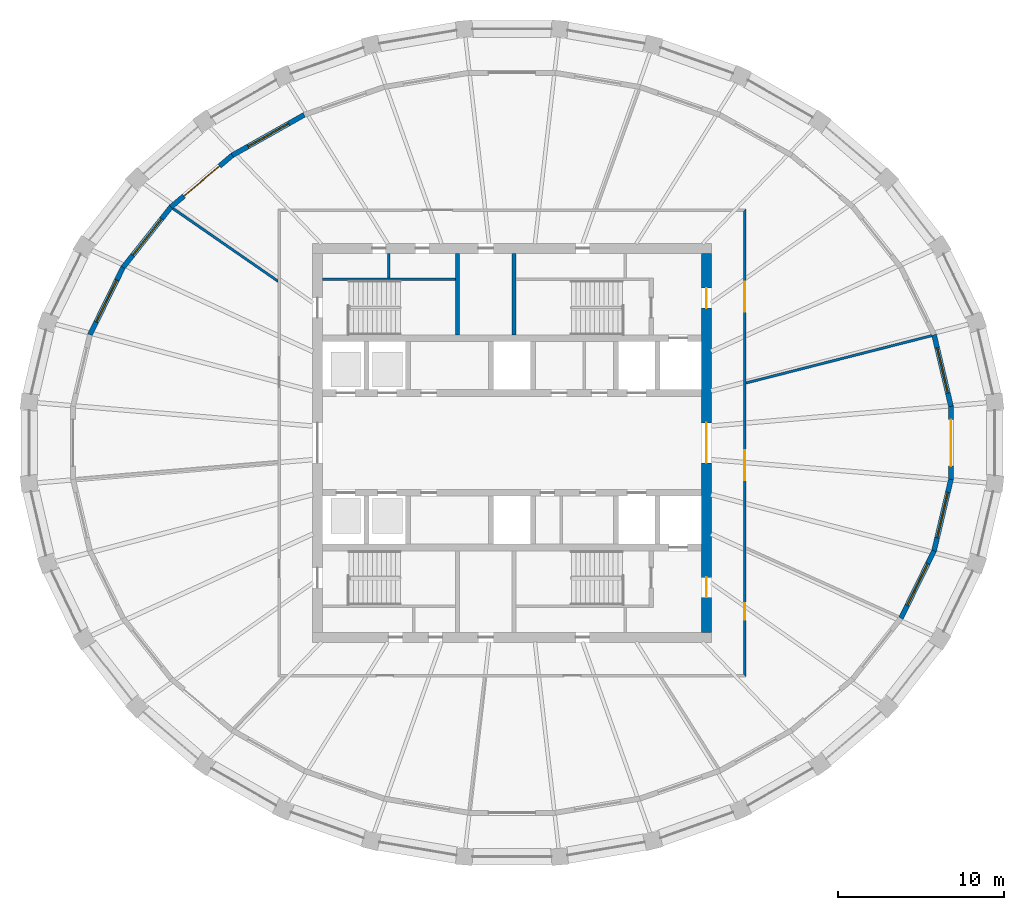
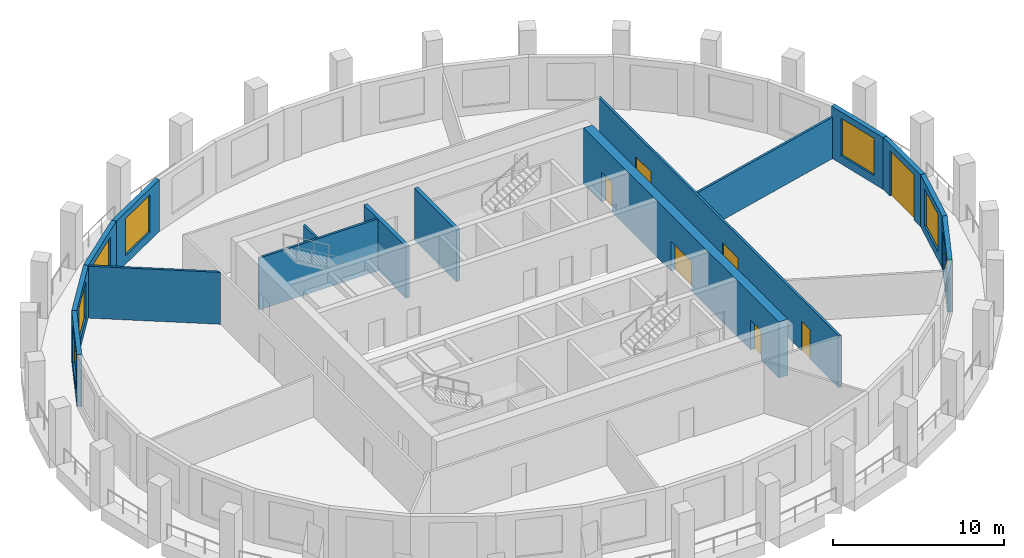
# One storey, part 5 of 10: 16 walls, 8 doors, 6 windows, 14 openings.
"""IFC4 building model written with IfcOpenShell, lengths in metres."""

from ifc_helpers import new_model, si_unit, direction, frame, frame_2d, origin, place, context, subcontext, project, spatial, polyline, rectangle, outline, extrude, material, layer, layer_set, type_object, element, fill, save


model = new_model("IFC4")

# Units and contexts
model_context = context("Model", 3, precision=1e-05, world=origin(), true_north=direction((0.0, 1.0)))
body_context = subcontext(model_context, "Body", "Model", "MODEL_VIEW")
ifc_project = project(units=[si_unit("LENGTHUNIT", "METRE"), si_unit("AREAUNIT", "SQUARE_METRE"), si_unit("VOLUMEUNIT", "CUBIC_METRE"), si_unit("PLANEANGLEUNIT", "RADIAN"), si_unit("MASSUNIT", "GRAM", prefix="KILO")], contexts=[model_context])

# Site, building, storey
site_placement = place(None, origin())
site = spatial("IfcSite", under=ifc_project, at=site_placement, CompositionType="ELEMENT")
building_placement = place(site_placement, origin())
building = spatial("IfcBuilding", under=site, at=building_placement, Name="Halqa Exchange Tower", CompositionType="ELEMENT")
storey_placement = place(building_placement, frame((0.0, 0.0, 296.300048828125)))
storey = spatial("IfcBuildingStorey", under=building, at=storey_placement, Name="L69", CompositionType="ELEMENT", Elevation=296.300048828125)

# Wall
ifc_material_1 = material(Name="Fire-rated gypsum board")
ifc_layer_1 = layer(ifc_material_1, 0.14990234375)
ifc_layer_set_1 = layer_set([ifc_layer_1], Name="Fire-rated gypsum board")
wall_type_1 = type_object("IfcWallType", Name="Fire partition EI 60 150", PredefinedType="PARTITIONING", material=ifc_layer_set_1)
wall_1_placement = place(storey_placement, frame((-20.400146484375, 14.09423828125, 0.0), z_axis=(0.0, 0.0, 1.0), x_axis=(0.822587107867, -0.568639121035, 0.0)))
element("IfcWall", 1, at=wall_1_placement, inside=storey, type_object=wall_type_1, Name="L69-PWL-001", PredefinedType="PARTITIONING", context=body_context, shape_type="SweptSolid", body=[
    extrude(outline(polyline([(7.740966796875, -0.074951171875), (7.740966796875, -0.07470703125), (7.637451171875, 0.074951171875), (5.734375, 0.074951171875), (3.8310546875, 0.074951171875), (1.927978515625, 0.074951171875), (0.024658203125, 0.074951171875), (0.004638671875, 0.001708984375), (0.0, -0.06982421875), (0.0, -0.074951171875), (1.935302734375, -0.074951171875), (3.87060546875, -0.074951171875), (5.8056640625, -0.074951171875), (7.740966796875, -0.074951171875)])), origin(), (0.0, 0.0, 1.0), 3.699951171875),
])

# Wall, openings, doors
wall_2_placement = place(storey_placement, frame((14.0, -14.074951171875, 0.0), z_axis=(0.0, 0.0, 1.0), x_axis=(0.0, 1.0, 0.0)))
wall_2 = element("IfcWall", 2, at=wall_2_placement, inside=storey, type_object=wall_type_1, Name="L69-PWL-010", PredefinedType="PARTITIONING", context=body_context, shape_type="SweptSolid", body=[
    extrude(outline(polyline([(0.0, -0.074951171875), (1.876708984375, -0.074951171875), (3.75341796875, -0.074951171875), (5.6298828125, -0.074951171875), (7.506591796875, -0.074951171875), (9.38330078125, -0.074951171875), (11.260009765625, -0.074951171875), (13.13671875, -0.074951171875), (15.01318359375, -0.074951171875), (16.889892578125, -0.074951171875), (18.7666015625, -0.074951171875), (20.643310546875, -0.074951171875), (22.52001953125, -0.074951171875), (24.396484375, -0.074951171875), (26.273193359375, -0.074951171875), (28.14990234375, -0.074951171875), (28.0, 0.074951171875), (26.0107421875, 0.074951171875), (24.021484375, 0.074951171875), (22.0322265625, 0.074951171875), (20.042724609375, 0.074951171875), (18.053466796875, 0.074951171875), (16.064208984375, 0.074951171875), (14.074951171875, 0.074951171875), (12.085693359375, 0.074951171875), (10.096435546875, 0.074951171875), (8.107177734375, 0.074951171875), (6.11767578125, 0.074951171875), (4.12841796875, 0.074951171875), (2.13916015625, 0.074951171875), (0.14990234375, 0.074951171875), (0.0, -0.074951171875)])), origin(), (0.0, 0.0, 1.0), 3.699951171875),
])
opening_1_placement = place(wall_2_placement, frame((3.425048828125, 0.0, 0.0)))
opening_1 = element("IfcOpeningElement", 3, at=opening_1_placement, cuts=wall_2, Name="Opening 21-05", PredefinedType="OPENING", context=body_context, shape_type="SweptSolid", body=[
    extrude(rectangle(XDim=1.0, YDim=2.10009765625, at=frame_2d((0.5, 1.050048828125))), frame((0.0, 0.0869140625, 0.0), z_axis=(0.0, -1.0, 0.0), x_axis=(1.0, 0.0, 0.0)), (0.0, 0.0, 1.0), 0.173828125),
])
opening_2_placement = place(wall_2_placement, frame((11.81494140625, 0.0, 0.0)))
opening_2 = element("IfcOpeningElement", 4, at=opening_2_placement, cuts=wall_2, Name="Opening 21-06", PredefinedType="OPENING", context=body_context, shape_type="SweptSolid", body=[
    extrude(rectangle(XDim=1.800048828125, YDim=2.10009765625, at=frame_2d((0.89990234375, 1.050048828125))), frame((0.0, 0.0869140625, 0.0), z_axis=(0.0, -1.0, 0.0), x_axis=(1.0, 0.0, 0.0)), (0.0, 0.0, 1.0), 0.173828125),
])
opening_3_placement = place(wall_2_placement, frame((21.965087890625, 0.0, 0.0)))
opening_3 = element("IfcOpeningElement", 5, at=opening_3_placement, cuts=wall_2, Name="Opening 21-07", PredefinedType="OPENING", context=body_context, shape_type="SweptSolid", body=[
    extrude(rectangle(XDim=1.800048828125, YDim=2.10009765625, at=frame_2d((0.89990234375, 1.050048828125))), frame((0.0, 0.0869140625, 0.0), z_axis=(0.0, -1.0, 0.0), x_axis=(1.0, 0.0, 0.0)), (0.0, 0.0, 1.0), 0.173828125),
])
ifc_material_2 = material(Name="Steel fire door leaf", Category="steel")
door_type_1 = type_object("IfcDoorType", Name="Fire door FD30S 1000 x 2100", OperationType="SINGLE_SWING_LEFT", PredefinedType="DOOR", material=ifc_material_2)
door_1_placement = place(opening_1_placement, frame((1.0, 0.0, 0.0), z_axis=(0.0, 0.0, 1.0), x_axis=(-1.0, 0.0, 0.0)))
door_1 = element("IfcDoor", 6, at=door_1_placement, inside=storey, type_object=door_type_1, Name="L69-IDR-005", OperationType="SINGLE_SWING_RIGHT", OverallHeight=2.10009765625, OverallWidth=1.0, PredefinedType="DOOR", context=body_context, shape_type="SweptSolid", body=[
    extrude(rectangle(XDim=1.0, YDim=2.10009765625, at=frame_2d((0.5, 1.050048828125))), frame((0.0, 0.02490234375, 0.0), z_axis=(0.0, -1.0, 0.0), x_axis=(1.0, 0.0, 0.0)), (0.0, 0.0, 1.0), 0.050048828125),
])
fill(opening_1, door_1)
door_type_2 = type_object("IfcDoorType", Name="Fire door FD30S double 1800 x 2100", OperationType="DOUBLE_DOOR_SINGLE_SWING", PredefinedType="DOOR", material=ifc_material_2)
door_2_placement = place(opening_2_placement, frame((1.800048828125, 0.0, 0.0), z_axis=(0.0, 0.0, 1.0), x_axis=(-1.0, 0.0, 0.0)))
door_2 = element("IfcDoor", 7, at=door_2_placement, inside=storey, type_object=door_type_2, Name="L69-IDR-006", OperationType="DOUBLE_DOOR_SINGLE_SWING", OverallHeight=2.10009765625, OverallWidth=1.800048828125, PredefinedType="DOOR", context=body_context, shape_type="SweptSolid", body=[
    extrude(rectangle(XDim=1.800048828125, YDim=2.10009765625, at=frame_2d((0.89990234375, 1.050048828125))), frame((0.0, 0.02490234375, 0.0), z_axis=(0.0, -1.0, 0.0), x_axis=(1.0, 0.0, 0.0)), (0.0, 0.0, 1.0), 0.050048828125),
])
fill(opening_2, door_2)
door_3_placement = place(opening_3_placement, frame((1.800048828125, 0.0, 0.0), z_axis=(0.0, 0.0, 1.0), x_axis=(-1.0, 0.0, 0.0)))
door_3 = element("IfcDoor", 8, at=door_3_placement, inside=storey, type_object=door_type_2, Name="L69-IDR-007", OperationType="DOUBLE_DOOR_SINGLE_SWING", OverallHeight=2.10009765625, OverallWidth=1.800048828125, PredefinedType="DOOR", context=body_context, shape_type="SweptSolid", body=[
    extrude(rectangle(XDim=1.800048828125, YDim=2.10009765625, at=frame_2d((0.89990234375, 1.050048828125))), frame((0.0, 0.02490234375, 0.0), z_axis=(0.0, -1.0, 0.0), x_axis=(1.0, 0.0, 0.0)), (0.0, 0.0, 1.0), 0.050048828125),
])
fill(opening_3, door_3)

# Walls
wall_3_placement = place(storey_placement, frame((14.056640625, 3.594482421875, 0.0), z_axis=(0.0, 0.0, 1.0), x_axis=(0.969049648941, 0.246865910742, 0.0)))
element("IfcWall", 9, at=wall_3_placement, inside=storey, type_object=wall_type_1, Name="L69-PWL-012", PredefinedType="PARTITIONING", context=body_context, shape_type="SweptSolid", body=[
    extrude(outline(polyline([(11.548095703125, -0.074951171875), (11.548095703125, 0.0107421875), (11.53466796875, 0.074951171875), (9.618408203125, 0.074951171875), (7.702392578125, 0.074951171875), (5.786376953125, 0.074951171875), (3.8701171875, 0.074951171875), (1.9541015625, 0.074951171875), (0.0380859375, 0.074951171875), (0.0, -0.074462890625), (0.0, -0.074951171875), (1.9248046875, -0.074951171875), (3.849365234375, -0.074951171875), (5.77392578125, -0.074951171875), (7.69873046875, -0.074951171875), (9.62353515625, -0.074951171875), (11.548095703125, -0.074951171875)])), origin(), (0.0, 0.0, 1.0), 2.947021484375),
])
ifc_material_3 = material(Name="Gypsum board")
ifc_layer_2 = layer(ifc_material_3, 0.14990234375)
ifc_layer_set_2 = layer_set([ifc_layer_2], Name="Gypsum board")
wall_type_2 = type_object("IfcWallType", Name="Penthouse riser wall 150 gypsum", PredefinedType="PARTITIONING", material=ifc_layer_set_2)
wall_4_placement = place(storey_placement, frame((-7.39990234375, 9.89990234375, 0.0), z_axis=(0.0, 0.0, 1.0), x_axis=(0.0, 1.0, 0.0)))
element("IfcWall", 10, at=wall_4_placement, inside=storey, type_object=wall_type_2, Name="Partition W7.400 N", PredefinedType="PARTITIONING", context=body_context, shape_type="SweptSolid", body=[
    extrude(rectangle(XDim=1.5, YDim=0.14990234375, at=frame_2d((0.75, 0.0))), origin(), (0.0, 0.0, 1.0), 3.699951171875),
])

# Wall, openings, doors
ifc_material_4 = material(Name="Concrete C60/75", Category="concrete")
ifc_layer_3 = layer(ifc_material_4, 0.60009765625)
ifc_layer_set_3 = layer_set([ifc_layer_3], Name="Concrete C60/75")
wall_type_3 = type_object("IfcWallType", Name="RC core wall 600 C60/75", PredefinedType="SHEAR", material=ifc_layer_set_3)
wall_5_placement = place(storey_placement, frame((11.699951171875, -11.39990234375, 0.0), z_axis=(0.0, 0.0, 1.0), x_axis=(0.0, 1.0, 0.0)))
wall_5 = element("IfcWall", 11, at=wall_5_placement, inside=storey, type_object=wall_type_3, Name="Core wall east", PredefinedType="SHEAR", context=body_context, shape_type="SweptSolid", body=[
    extrude(rectangle(XDim=22.7998046875, YDim=0.60009765625, at=frame_2d((11.39990234375, 0.0))), origin(), (0.0, 0.0, 1.0), 4.0),
])
opening_4_placement = place(wall_5_placement, frame((10.199951171875, 0.0, 0.0)))
opening_4 = element("IfcOpeningElement", 12, at=opening_4_placement, cuts=wall_5, Name="Opening T21-C10", PredefinedType="OPENING", context=body_context, shape_type="SweptSolid", body=[
    extrude(rectangle(XDim=2.39990234375, YDim=2.10009765625, at=frame_2d((1.199951171875, 1.050048828125))), frame((0.0, 0.31201171875, 0.0), z_axis=(0.0, -1.0, 0.0), x_axis=(1.0, 0.0, 0.0)), (0.0, 0.0, 1.0), 0.6240234375),
])
opening_5_placement = place(wall_5_placement, frame((19.5, 0.0, 0.0)))
opening_5 = element("IfcOpeningElement", 13, at=opening_5_placement, cuts=wall_5, Name="Opening T21-C15", PredefinedType="OPENING", context=body_context, shape_type="SweptSolid", body=[
    extrude(rectangle(XDim=1.199951171875, YDim=2.10009765625, at=frame_2d((0.60009765625, 1.050048828125))), frame((0.0, 0.31201171875, 0.0), z_axis=(0.0, -1.0, 0.0), x_axis=(1.0, 0.0, 0.0)), (0.0, 0.0, 1.0), 0.6240234375),
])
opening_6_placement = place(wall_5_placement, frame((2.10009765625, 0.0, 0.0)))
opening_6 = element("IfcOpeningElement", 14, at=opening_6_placement, cuts=wall_5, Name="Opening T21-C16", PredefinedType="OPENING", context=body_context, shape_type="SweptSolid", body=[
    extrude(rectangle(XDim=1.199951171875, YDim=2.10009765625, at=frame_2d((0.60009765625, 1.050048828125))), frame((0.0, 0.31201171875, 0.0), z_axis=(0.0, -1.0, 0.0), x_axis=(1.0, 0.0, 0.0)), (0.0, 0.0, 1.0), 0.6240234375),
])
door_type_3 = type_object("IfcDoorType", Name="Firefighting lobby door FD90 1200 x 2100", OperationType="SINGLE_SWING_RIGHT", PredefinedType="DOOR", material=ifc_material_2)
door_4_placement = place(opening_5_placement, origin())
door_4 = element("IfcDoor", 15, at=door_4_placement, inside=storey, type_object=door_type_3, Name="Firefighting lobby door", OperationType="SINGLE_SWING_RIGHT", OverallHeight=2.10009765625, OverallWidth=1.199951171875, PredefinedType="DOOR", context=body_context, shape_type="SweptSolid", body=[
    extrude(rectangle(XDim=1.199951171875, YDim=2.10009765625, at=frame_2d((0.60009765625, 1.050048828125))), frame((0.0, 0.02490234375, 0.0), z_axis=(0.0, -1.0, 0.0), x_axis=(1.0, 0.0, 0.0)), (0.0, 0.0, 1.0), 0.050048828125),
])
fill(opening_5, door_4)
door_5_placement = place(opening_6_placement, origin())
door_5 = element("IfcDoor", 16, at=door_5_placement, inside=storey, type_object=door_type_3, Name="Firefighting lobby door", OperationType="SINGLE_SWING_LEFT", OverallHeight=2.10009765625, OverallWidth=1.199951171875, PredefinedType="DOOR", context=body_context, shape_type="SweptSolid", body=[
    extrude(rectangle(XDim=1.199951171875, YDim=2.10009765625, at=frame_2d((0.60009765625, 1.050048828125))), frame((0.0, 0.02490234375, 0.0), z_axis=(0.0, -1.0, 0.0), x_axis=(1.0, 0.0, 0.0)), (0.0, 0.0, 1.0), 0.050048828125),
])
fill(opening_6, door_5)
door_type_4 = type_object("IfcDoorType", Name="Lobby double door FD60 2400 x 2100", OperationType="DOUBLE_DOOR_SINGLE_SWING", PredefinedType="DOOR", material=ifc_material_2)
door_6_placement = place(opening_4_placement, origin())
door_6 = element("IfcDoor", 17, at=door_6_placement, inside=storey, type_object=door_type_4, Name="Lift lobby double door", OperationType="DOUBLE_DOOR_SINGLE_SWING", OverallHeight=2.10009765625, OverallWidth=2.39990234375, PredefinedType="DOOR", context=body_context, shape_type="SweptSolid", body=[
    extrude(rectangle(XDim=2.39990234375, YDim=2.10009765625, at=frame_2d((1.199951171875, 1.050048828125))), frame((0.0, 0.02490234375, 0.0), z_axis=(0.0, -1.0, 0.0), x_axis=(1.0, 0.0, 0.0)), (0.0, 0.0, 1.0), 0.050048828125),
])
fill(opening_4, door_6)

# Walls
ifc_material_5 = material(Name="Concrete C30/37", Category="concrete")
ifc_layer_4 = layer(ifc_material_5, 0.14990234375)
ifc_layer_set_4 = layer_set([ifc_layer_4], Name="Concrete C30/37")
wall_type_4 = type_object("IfcWallType", Name="RC stair wall 150 C30/37", PredefinedType="SHEAR", material=ifc_layer_set_4)
wall_6_placement = place(storey_placement, frame((-11.39990234375, 9.824951171875, 0.0), z_axis=(0.0, 0.0, 1.0), x_axis=(1.0, 0.0, 0.0)))
element("IfcWall", 18, at=wall_6_placement, inside=storey, type_object=wall_type_4, Name="Stair ST1 north wall N", PredefinedType="SHEAR", context=body_context, shape_type="SweptSolid", body=[
    extrude(rectangle(XDim=8.0, YDim=0.14990234375, at=frame_2d((4.0, 0.0))), origin(), (0.0, 0.0, 1.0), 3.699951171875),
])
ifc_layer_5 = layer(ifc_material_5, 0.25)
ifc_layer_set_5 = layer_set([ifc_layer_5], Name="Concrete C30/37")
wall_type_5 = type_object("IfcWallType", Name="RC stair wall 250 C30/37", PredefinedType="SHEAR", material=ifc_layer_set_5)
for number, where, z_axis, x_axis, name in (
    (19, (-3.27490234375, 6.5, 0.0), (0.0, 0.0, 1.0), (0.0, 1.0, 0.0), "Stair ST1 east wall N"),
    (20, (0.125, 6.5, 0.0), (0.0, 0.0, 1.0), (0.0, 1.0, 0.0), "Stair ST2 west wall N"),
):
    element("IfcWall", number, at=place(storey_placement, frame(where, z_axis=z_axis, x_axis=x_axis)), inside=storey, type_object=wall_type_5, Name=name, PredefinedType="SHEAR", context=body_context, shape_type="SweptSolid", body=[
        extrude(rectangle(XDim=4.89990234375, YDim=0.25, at=frame_2d((2.449951171875, 0.0))), origin(), (0.0, 0.0, 1.0), 3.699951171875),
    ])

# Wall, opening, window
ifc_material_6 = material(Name="Limestone cladding", Category="masonry")
ifc_layer_6 = layer(ifc_material_6, 0.0400390625)
ifc_material_7 = material(Name="Ventilated cavity")
ifc_layer_7 = layer(ifc_material_7, 0.030029296875, ventilated=True)
ifc_material_8 = material(Name="Mineral wool insulation")
ifc_layer_8 = layer(ifc_material_8, 0.10009765625)
ifc_layer_9 = layer(ifc_material_5, 0.10009765625)
ifc_material_9 = material(Name="Internal plaster")
ifc_layer_10 = layer(ifc_material_9, 0.030029296875)
ifc_layer_set_6 = layer_set([ifc_layer_6, ifc_layer_7, ifc_layer_8, ifc_layer_9, ifc_layer_10], Name="Stone-faced insulated wall 300")
wall_type_6 = type_object("IfcWallType", Name="Stone-faced insulated wall 300", PredefinedType="STANDARD", material=ifc_layer_set_6)
wall_7_placement = place(storey_placement, frame((26.4072265625, 2.195068359375, 0.0), z_axis=(0.0, 0.0, 1.0), x_axis=(-0.229943714271, 0.973203929435, 0.0)))
wall_7 = element("IfcWall", 21, at=wall_7_placement, inside=storey, type_object=wall_type_6, Name="Glass-line wall 1", PredefinedType="STANDARD", context=body_context, shape_type="SweptSolid", body=[
    extrude(outline(polyline([(-0.017578125, -0.14990234375), (4.43994140625, -0.14990234375), (4.40625, 0.14990234375), (0.017578125, 0.14990234375), (-0.017578125, -0.14990234375)])), origin(), (0.0, 0.0, 1.0), 3.699951171875),
])
opening_7_placement = place(wall_7_placement, frame((0.8115234375, 0.0, 0.60009765625)))
opening_7 = element("IfcOpeningElement", 22, at=opening_7_placement, cuts=wall_7, Name="Opening W-F4-01", PredefinedType="OPENING", context=body_context, shape_type="SweptSolid", body=[
    extrude(rectangle(XDim=2.800048828125, YDim=2.64990234375, at=frame_2d((1.39990234375, 1.324951171875))), frame((0.0, 0.162109375, 0.0), z_axis=(0.0, -1.0, 0.0), x_axis=(1.0, 0.0, 0.0)), (0.0, 0.0, 1.0), 0.323974609375),
])
ifc_material_10 = material(Name="Clear low-emissivity glass in aluminium frame", Category="aluminium")
window_type = type_object("IfcWindowType", Name="Fixed clear glazed window 2800 x 2650", PartitioningType="DOUBLE_PANEL_VERTICAL", PredefinedType="WINDOW", material=ifc_material_10)
window_1_placement = place(opening_7_placement, origin())
window_1 = element("IfcWindow", 23, at=window_1_placement, inside=storey, type_object=window_type, Name="Window 4", OverallHeight=2.64990234375, OverallWidth=2.800048828125, PartitioningType="DOUBLE_PANEL_VERTICAL", PredefinedType="WINDOW", context=body_context, shape_type="SweptSolid", body=[
    extrude(rectangle(XDim=2.800048828125, YDim=2.64990234375, at=frame_2d((1.39990234375, 1.324951171875))), frame((0.0, 0.030029296875, 0.0), z_axis=(0.0, -1.0, 0.0), x_axis=(1.0, 0.0, 0.0)), (0.0, 0.0, 1.0), 0.06005859375),
])
fill(opening_7, window_1)

wall_8_placement = place(storey_placement, frame((-12.49951171875, 19.729248046875, 0.0), z_axis=(0.0, 0.0, 1.0), x_axis=(-0.871512454536, -0.490373369575, 0.0)))
wall_8 = element("IfcWall", 24, at=wall_8_placement, inside=storey, type_object=wall_type_6, Name="Glass-line wall 11", PredefinedType="STANDARD", context=body_context, shape_type="SweptSolid", body=[
    extrude(outline(polyline([(-0.013427734375, -0.14990234375), (4.975830078125, -0.14990234375), (4.947509765625, 0.14990234375), (0.013427734375, 0.14990234375), (-0.013427734375, -0.14990234375)])), origin(), (0.0, 0.0, 1.0), 3.699951171875),
])
opening_8_placement = place(wall_8_placement, frame((1.080810546875, 0.0, 0.60009765625)))
opening_8 = element("IfcOpeningElement", 25, at=opening_8_placement, cuts=wall_8, Name="Opening W-F4-11", PredefinedType="OPENING", context=body_context, shape_type="SweptSolid", body=[
    extrude(rectangle(XDim=2.800048828125, YDim=2.64990234375, at=frame_2d((1.39990234375, 1.324951171875))), frame((0.0, 0.162109375, 0.0), z_axis=(0.0, -1.0, 0.0), x_axis=(1.0, 0.0, 0.0)), (0.0, 0.0, 1.0), 0.323974609375),
])
window_2_placement = place(opening_8_placement, origin())
window_2 = element("IfcWindow", 26, at=window_2_placement, inside=storey, type_object=window_type, Name="Window 4", OverallHeight=2.64990234375, OverallWidth=2.800048828125, PartitioningType="DOUBLE_PANEL_VERTICAL", PredefinedType="WINDOW", context=body_context, shape_type="SweptSolid", body=[
    extrude(rectangle(XDim=2.800048828125, YDim=2.64990234375, at=frame_2d((1.39990234375, 1.324951171875))), frame((0.0, 0.030029296875, 0.0), z_axis=(0.0, -1.0, 0.0), x_axis=(1.0, 0.0, 0.0)), (0.0, 0.0, 1.0), 0.06005859375),
])
fill(opening_8, window_2)

# Wall, opening, door
wall_9_placement = place(storey_placement, frame((-16.82373046875, 17.296142578125, 0.0), z_axis=(0.0, 0.0, 1.0), x_axis=(-0.764966473721, -0.644070100286, 0.0)))
wall_9 = element("IfcWall", 27, at=wall_9_placement, inside=storey, type_object=wall_type_6, Name="Glass-line wall 12", PredefinedType="STANDARD", context=body_context, shape_type="SweptSolid", body=[
    extrude(outline(polyline([(-0.01416015625, -0.14990234375), (4.825439453125, -0.14990234375), (4.795166015625, 0.14990234375), (0.01416015625, 0.14990234375), (-0.01416015625, -0.14990234375)])), origin(), (0.0, 0.0, 1.0), 3.699951171875),
])
opening_9_placement = place(wall_9_placement, frame((1.005126953125, 0.0, 0.0)))
opening_9 = element("IfcOpeningElement", 28, at=opening_9_placement, cuts=wall_9, Name="Opening LG-F4-03", PredefinedType="OPENING", context=body_context, shape_type="SweptSolid", body=[
    extrude(rectangle(XDim=2.800048828125, YDim=3.25, at=frame_2d((1.39990234375, 1.625))), frame((0.0, 0.162109375, 0.0), z_axis=(0.0, -1.0, 0.0), x_axis=(1.0, 0.0, 0.0)), (0.0, 0.0, 1.0), 0.323974609375),
])
door_type_5 = type_object("IfcDoorType", Name="Glazed sliding loggia door 2800 x 3250", OperationType="DOUBLE_DOOR_SLIDING", PredefinedType="DOOR", material=ifc_material_10)
door_7_placement = place(opening_9_placement, origin())
door_7 = element("IfcDoor", 29, at=door_7_placement, inside=storey, type_object=door_type_5, Name="Loggia door 3", OperationType="DOUBLE_DOOR_SLIDING", OverallHeight=3.25, OverallWidth=2.800048828125, PredefinedType="DOOR", context=body_context, shape_type="SweptSolid", body=[
    extrude(rectangle(XDim=2.800048828125, YDim=3.25, at=frame_2d((1.39990234375, 1.625))), frame((0.0, 0.02490234375, 0.0), z_axis=(0.0, -1.0, 0.0), x_axis=(1.0, 0.0, 0.0)), (0.0, 0.0, 1.0), 0.050048828125),
])
fill(opening_9, door_7)

# Wall, opening, window
wall_10_placement = place(storey_placement, frame((-20.50341796875, 14.197998046875, 0.0), z_axis=(0.0, 0.0, 1.0), x_axis=(-0.621625671247, -0.783314448256, 0.0)))
wall_10 = element("IfcWall", 30, at=wall_10_placement, inside=storey, type_object=wall_type_6, Name="Glass-line wall 13", PredefinedType="STANDARD", context=body_context, shape_type="SweptSolid", body=[
    extrude(outline(polyline([(-0.01513671875, -0.14990234375), (4.669677734375, -0.14990234375), (4.637451171875, 0.14990234375), (0.01513671875, 0.14990234375), (-0.01513671875, -0.14990234375)])), origin(), (0.0, 0.0, 1.0), 3.699951171875),
])
opening_10_placement = place(wall_10_placement, frame((0.927001953125, 0.0, 0.60009765625)))
opening_10 = element("IfcOpeningElement", 31, at=opening_10_placement, cuts=wall_10, Name="Opening W-F4-13", PredefinedType="OPENING", context=body_context, shape_type="SweptSolid", body=[
    extrude(rectangle(XDim=2.800048828125, YDim=2.64990234375, at=frame_2d((1.39990234375, 1.324951171875))), frame((0.0, 0.162109375, 0.0), z_axis=(0.0, -1.0, 0.0), x_axis=(1.0, 0.0, 0.0)), (0.0, 0.0, 1.0), 0.323974609375),
])
window_3_placement = place(opening_10_placement, origin())
window_3 = element("IfcWindow", 32, at=window_3_placement, inside=storey, type_object=window_type, Name="Window 4", OverallHeight=2.64990234375, OverallWidth=2.800048828125, PartitioningType="DOUBLE_PANEL_VERTICAL", PredefinedType="WINDOW", context=body_context, shape_type="SweptSolid", body=[
    extrude(rectangle(XDim=2.800048828125, YDim=2.64990234375, at=frame_2d((1.39990234375, 1.324951171875))), frame((0.0, 0.030029296875, 0.0), z_axis=(0.0, -1.0, 0.0), x_axis=(1.0, 0.0, 0.0)), (0.0, 0.0, 1.0), 0.06005859375),
])
fill(opening_10, window_3)

wall_11_placement = place(storey_placement, frame((-23.396240234375, 10.552734375, 0.0), z_axis=(0.0, 0.0, 1.0), x_axis=(-0.441431671743, -0.897294867467, 0.0)))
wall_11 = element("IfcWall", 33, at=wall_11_placement, inside=storey, type_object=wall_type_6, Name="Glass-line wall 14", PredefinedType="STANDARD", context=body_context, shape_type="SweptSolid", body=[
    extrude(outline(polyline([(-0.01611328125, -0.14990234375), (4.53369140625, -0.14990234375), (4.5, 0.14990234375), (0.01611328125, 0.14990234375), (-0.01611328125, -0.14990234375)])), origin(), (0.0, 0.0, 1.0), 3.699951171875),
])
opening_11_placement = place(wall_11_placement, frame((0.8583984375, 0.0, 0.60009765625)))
opening_11 = element("IfcOpeningElement", 34, at=opening_11_placement, cuts=wall_11, Name="Opening W-F4-14", PredefinedType="OPENING", context=body_context, shape_type="SweptSolid", body=[
    extrude(rectangle(XDim=2.800048828125, YDim=2.64990234375, at=frame_2d((1.39990234375, 1.324951171875))), frame((0.0, 0.162109375, 0.0), z_axis=(0.0, -1.0, 0.0), x_axis=(1.0, 0.0, 0.0)), (0.0, 0.0, 1.0), 0.323974609375),
])
window_4_placement = place(opening_11_placement, origin())
window_4 = element("IfcWindow", 35, at=window_4_placement, inside=storey, type_object=window_type, Name="Window 4", OverallHeight=2.64990234375, OverallWidth=2.800048828125, PartitioningType="DOUBLE_PANEL_VERTICAL", PredefinedType="WINDOW", context=body_context, shape_type="SweptSolid", body=[
    extrude(rectangle(XDim=2.800048828125, YDim=2.64990234375, at=frame_2d((1.39990234375, 1.324951171875))), frame((0.0, 0.030029296875, 0.0), z_axis=(0.0, -1.0, 0.0), x_axis=(1.0, 0.0, 0.0)), (0.0, 0.0, 1.0), 0.06005859375),
])
fill(opening_11, window_4)

wall_12_placement = place(storey_placement, frame((23.396240234375, -10.552734375, 0.0), z_axis=(0.0, 0.0, 1.0), x_axis=(0.441431671743, 0.897294867467, 0.0)))
wall_12 = element("IfcWall", 36, at=wall_12_placement, inside=storey, type_object=wall_type_6, Name="Glass-line wall 30", PredefinedType="STANDARD", context=body_context, shape_type="SweptSolid", body=[
    extrude(outline(polyline([(-0.01611328125, -0.14990234375), (4.53369140625, -0.14990234375), (4.5, 0.14990234375), (0.01611328125, 0.14990234375), (-0.01611328125, -0.14990234375)])), origin(), (0.0, 0.0, 1.0), 3.699951171875),
])
opening_12_placement = place(wall_12_placement, frame((0.8583984375, 0.0, 0.60009765625)))
opening_12 = element("IfcOpeningElement", 37, at=opening_12_placement, cuts=wall_12, Name="Opening W-F4-30", PredefinedType="OPENING", context=body_context, shape_type="SweptSolid", body=[
    extrude(rectangle(XDim=2.800048828125, YDim=2.64990234375, at=frame_2d((1.39990234375, 1.324951171875))), frame((0.0, 0.162109375, 0.0), z_axis=(0.0, -1.0, 0.0), x_axis=(1.0, 0.0, 0.0)), (0.0, 0.0, 1.0), 0.323974609375),
])
window_5_placement = place(opening_12_placement, origin())
window_5 = element("IfcWindow", 38, at=window_5_placement, inside=storey, type_object=window_type, Name="Window 4", OverallHeight=2.64990234375, OverallWidth=2.800048828125, PartitioningType="DOUBLE_PANEL_VERTICAL", PredefinedType="WINDOW", context=body_context, shape_type="SweptSolid", body=[
    extrude(rectangle(XDim=2.800048828125, YDim=2.64990234375, at=frame_2d((1.39990234375, 1.324951171875))), frame((0.0, 0.030029296875, 0.0), z_axis=(0.0, -1.0, 0.0), x_axis=(1.0, 0.0, 0.0)), (0.0, 0.0, 1.0), 0.06005859375),
])
fill(opening_12, window_5)

wall_13_placement = place(storey_placement, frame((25.39013671875, -6.499755859375, 0.0), z_axis=(0.0, 0.0, 1.0), x_axis=(0.229943714271, 0.973203929435, 0.0)))
wall_13 = element("IfcWall", 39, at=wall_13_placement, inside=storey, type_object=wall_type_6, Name="Glass-line wall 31", PredefinedType="STANDARD", context=body_context, shape_type="SweptSolid", body=[
    extrude(outline(polyline([(-0.016845703125, -0.14990234375), (4.440673828125, -0.14990234375), (4.405517578125, 0.14990234375), (0.016845703125, 0.14990234375), (-0.016845703125, -0.14990234375)])), origin(), (0.0, 0.0, 1.0), 3.699951171875),
])
opening_13_placement = place(wall_13_placement, frame((0.8115234375, 0.0, 0.60009765625)))
opening_13 = element("IfcOpeningElement", 40, at=opening_13_placement, cuts=wall_13, Name="Opening W-F4-31", PredefinedType="OPENING", context=body_context, shape_type="SweptSolid", body=[
    extrude(rectangle(XDim=2.800048828125, YDim=2.64990234375, at=frame_2d((1.39990234375, 1.324951171875))), frame((0.0, 0.162109375, 0.0), z_axis=(0.0, -1.0, 0.0), x_axis=(1.0, 0.0, 0.0)), (0.0, 0.0, 1.0), 0.323974609375),
])
window_6_placement = place(opening_13_placement, origin())
window_6 = element("IfcWindow", 41, at=window_6_placement, inside=storey, type_object=window_type, Name="Window 4", OverallHeight=2.64990234375, OverallWidth=2.800048828125, PartitioningType="DOUBLE_PANEL_VERTICAL", PredefinedType="WINDOW", context=body_context, shape_type="SweptSolid", body=[
    extrude(rectangle(XDim=2.800048828125, YDim=2.64990234375, at=frame_2d((1.39990234375, 1.324951171875))), frame((0.0, 0.030029296875, 0.0), z_axis=(0.0, -1.0, 0.0), x_axis=(1.0, 0.0, 0.0)), (0.0, 0.0, 1.0), 0.06005859375),
])
fill(opening_13, window_6)

# Wall, opening, door
wall_14_placement = place(storey_placement, frame((26.4072265625, -2.195068359375, 0.0), z_axis=(0.0, 0.0, 1.0), x_axis=(0.0, 1.0, 0.0)))
wall_14 = element("IfcWall", 42, at=wall_14_placement, inside=storey, type_object=wall_type_6, Name="Glass-line wall 32", PredefinedType="STANDARD", context=body_context, shape_type="SweptSolid", body=[
    extrude(outline(polyline([(-0.017578125, -0.14990234375), (4.40771484375, -0.14990234375), (4.37255859375, 0.14990234375), (0.017578125, 0.14990234375), (-0.017578125, -0.14990234375)])), origin(), (0.0, 0.0, 1.0), 3.699951171875),
])
opening_14_placement = place(wall_14_placement, frame((0.794921875, 0.0, 0.0)))
opening_14 = element("IfcOpeningElement", 43, at=opening_14_placement, cuts=wall_14, Name="Opening LG-F4-08", PredefinedType="OPENING", context=body_context, shape_type="SweptSolid", body=[
    extrude(rectangle(XDim=2.800048828125, YDim=3.25, at=frame_2d((1.39990234375, 1.625))), frame((0.0, 0.162109375, 0.0), z_axis=(0.0, -1.0, 0.0), x_axis=(1.0, 0.0, 0.0)), (0.0, 0.0, 1.0), 0.323974609375),
])
door_8_placement = place(opening_14_placement, origin())
door_8 = element("IfcDoor", 44, at=door_8_placement, inside=storey, type_object=door_type_5, Name="Loggia door 8", OperationType="DOUBLE_DOOR_SLIDING", OverallHeight=3.25, OverallWidth=2.800048828125, PredefinedType="DOOR", context=body_context, shape_type="SweptSolid", body=[
    extrude(rectangle(XDim=2.800048828125, YDim=3.25, at=frame_2d((1.39990234375, 1.625))), frame((0.0, 0.02490234375, 0.0), z_axis=(0.0, -1.0, 0.0), x_axis=(1.0, 0.0, 0.0)), (0.0, 0.0, 1.0), 0.050048828125),
])
fill(opening_14, door_8)

save(model, "model.ifc")
